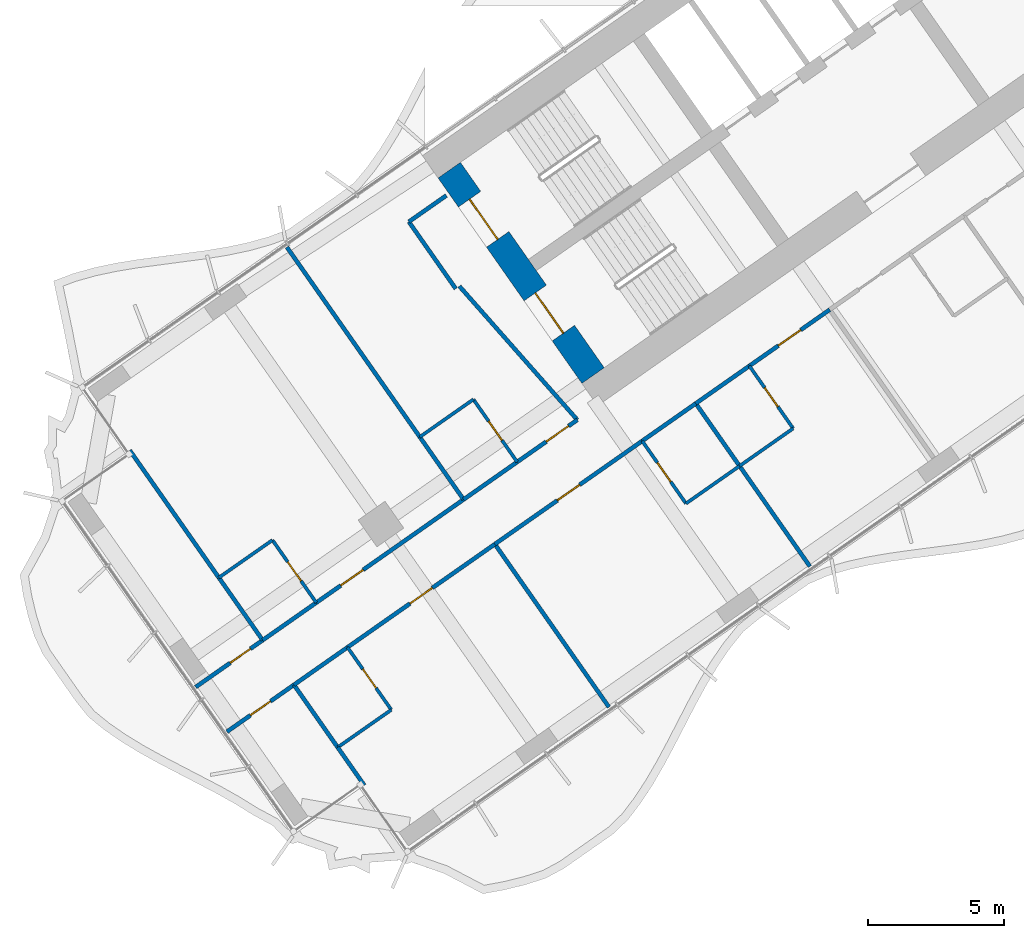
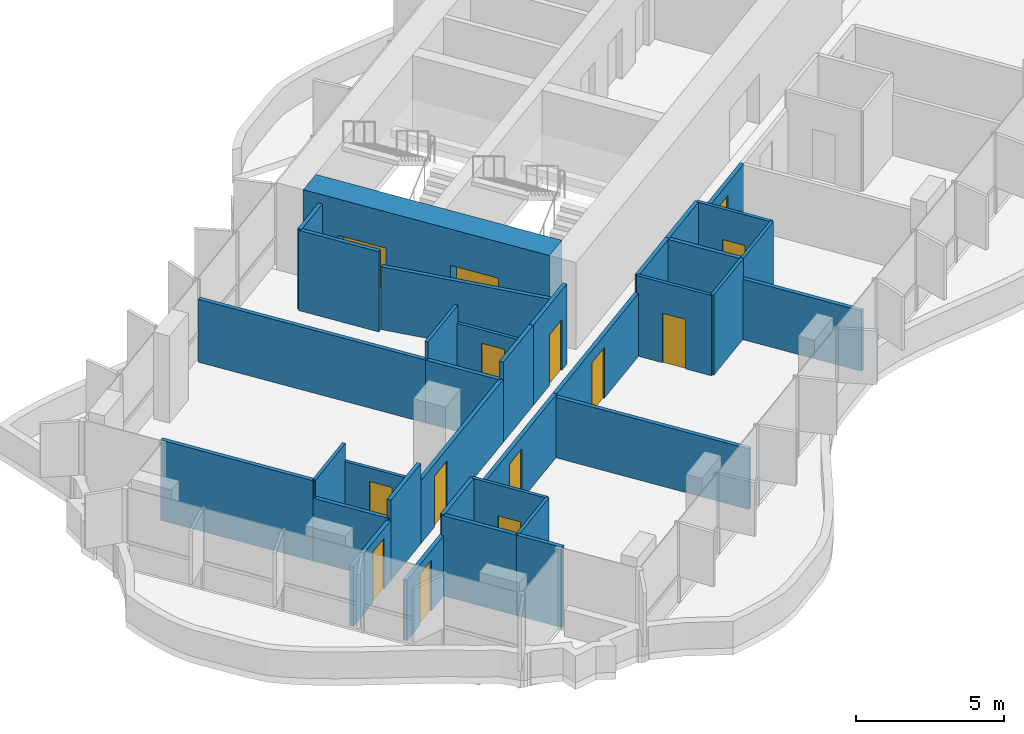
# One storey, part 12 of 22: 35 walls, 14 doors, 14 openings.
"""IFC4 building model written with IfcOpenShell, lengths in metres."""

from ifc_helpers import new_model, si_unit, direction, frame, frame_2d, origin, place, context, subcontext, project, spatial, polyline, rectangle, outline, extrude, material, layer, layer_set, type_object, element, fill, save


model = new_model("IFC4")

# Units and contexts
model_context = context("Model", 3, precision=1e-05, world=origin(), true_north=direction((0.0, 1.0)))
body_context = subcontext(model_context, "Body", "Model", "MODEL_VIEW")
ifc_project = project(units=[si_unit("LENGTHUNIT", "METRE"), si_unit("AREAUNIT", "SQUARE_METRE"), si_unit("VOLUMEUNIT", "CUBIC_METRE"), si_unit("PLANEANGLEUNIT", "RADIAN"), si_unit("MASSUNIT", "GRAM", prefix="KILO")], contexts=[model_context])

# Site, building, storey
site_placement = place(None, origin())
site = spatial("IfcSite", under=ifc_project, at=site_placement, CompositionType="ELEMENT")
building_placement = place(site_placement, origin())
building = spatial("IfcBuilding", under=site, at=building_placement, Name="Tel Ilan Convention Tower", CompositionType="ELEMENT")
storey_placement = place(building_placement, frame((0.0, 0.0, 122.89990234375)))
storey = spatial("IfcBuildingStorey", under=building, at=storey_placement, Name="L27", CompositionType="ELEMENT", Elevation=122.89990234375)

# Wall, openings, doors
ifc_material_1 = material(Name="Concrete C60/75", Category="concrete")
ifc_layer_1 = layer(ifc_material_1, 1.0)
ifc_layer_set_1 = layer_set([ifc_layer_1], Name="Core Shear Wall 1000 mm C60/75")
wall_type_1 = type_object("IfcWallType", Name="Core Shear Wall 1000 mm C60/75", PredefinedType="SHEAR", material=ifc_layer_set_1)
wall_1_placement = place(storey_placement, frame((-21.70751953125, -15.19970703125, 0.0), z_axis=(0.0, 0.0, 1.0), x_axis=(-0.573576324356, 0.819152122709, 0.0)))
wall_1 = element("IfcWall", 1, at=wall_1_placement, inside=storey, type_object=wall_type_1, Name="L27 core wall W-end", PredefinedType="SHEAR", context=body_context, shape_type="SweptSolid", body=[
    extrude(outline(polyline([(0.0, 0.5), (0.0, -0.5), (9.199951171875, -0.5), (9.199951171875, 0.5), (0.0, 0.5)])), origin(), (0.0, 0.0, 1.0), 3.60009765625),
])
opening_1_placement = place(wall_1_placement, frame((6.10009765625, 0.0, 0.0)))
opening_1 = element("IfcOpeningElement", 2, at=opening_1_placement, cuts=wall_1, Name="Opening SD2101", PredefinedType="OPENING", context=body_context, shape_type="SweptSolid", body=[
    extrude(rectangle(XDim=1.800048828125, YDim=2.10009765625, at=frame_2d((0.89990234375, 1.050048828125))), frame((0.0, 0.510009765625, 0.0), z_axis=(0.0, -1.0, 0.0), x_axis=(1.0, 0.0, 0.0)), (0.0, 0.0, 1.0), 1.02001953125),
])
opening_2_placement = place(wall_1_placement, frame((1.89990234375, 0.0, 0.0)))
opening_2 = element("IfcOpeningElement", 3, at=opening_2_placement, cuts=wall_1, Name="Opening SD2102", PredefinedType="OPENING", context=body_context, shape_type="SweptSolid", body=[
    extrude(rectangle(XDim=1.800048828125, YDim=2.10009765625, at=frame_2d((0.89990234375, 1.050048828125))), frame((0.0, 0.510009765625, 0.0), z_axis=(0.0, -1.0, 0.0), x_axis=(1.0, 0.0, 0.0)), (0.0, 0.0, 1.0), 1.02001953125),
])
ifc_material_2 = material(Name="Galvanised Steel Door Leaf", Category="steel")
door_type_1 = type_object("IfcDoorType", Name="Stair Fire Door 1800 x 2100 FD60S", OperationType="NOTDEFINED", PredefinedType="DOOR", material=ifc_material_2)
door_1_placement = place(opening_1_placement, origin())
door_1 = element("IfcDoor", 4, at=door_1_placement, inside=storey, type_object=door_type_1, Name="Stair S1 door", OperationType="DOUBLE_DOOR_SINGLE_SWING", OverallHeight=2.10009765625, OverallWidth=1.800048828125, PredefinedType="DOOR", context=body_context, shape_type="SweptSolid", body=[
    extrude(rectangle(XDim=1.800048828125, YDim=2.10009765625, at=frame_2d((0.89990234375, 1.050048828125))), frame((0.0, 0.02490234375, 0.0), z_axis=(0.0, -1.0, 0.0), x_axis=(1.0, 0.0, 0.0)), (0.0, 0.0, 1.0), 0.050048828125),
])
fill(opening_1, door_1)
door_2_placement = place(opening_2_placement, origin())
door_2 = element("IfcDoor", 5, at=door_2_placement, inside=storey, type_object=door_type_1, Name="Stair S2 door", OperationType="DOUBLE_DOOR_SINGLE_SWING", OverallHeight=2.10009765625, OverallWidth=1.800048828125, PredefinedType="DOOR", context=body_context, shape_type="SweptSolid", body=[
    extrude(rectangle(XDim=1.800048828125, YDim=2.10009765625, at=frame_2d((0.89990234375, 1.050048828125))), frame((0.0, 0.02490234375, 0.0), z_axis=(0.0, -1.0, 0.0), x_axis=(1.0, 0.0, 0.0)), (0.0, 0.0, 1.0), 0.050048828125),
])
fill(opening_2, door_2)

# Wall, opening, door
ifc_material_3 = material(Name="Plasterboard on Steel Studs", Category="steel")
ifc_layer_2 = layer(ifc_material_3, 0.14990234375)
ifc_layer_set_2 = layer_set([ifc_layer_2], Name="Fire-rated Partition 150 EI 60")
wall_type_2 = type_object("IfcWallType", Name="Fire-rated Partition 150 EI 60", PredefinedType="PARTITIONING", material=ifc_layer_set_2)
wall_2_placement = place(storey_placement, frame((-24.493408203125, -18.37109375, 0.0), z_axis=(0.0, 0.0, 1.0), x_axis=(0.819176640776, 0.573541307325, 0.0)))
wall_2 = element("IfcWall", 6, at=wall_2_placement, inside=storey, type_object=wall_type_2, Name="Partition 012", PredefinedType="PARTITIONING", context=body_context, shape_type="SweptSolid", body=[
    extrude(rectangle(XDim=2.697509765625, YDim=0.14990234375, at=frame_2d((1.3486328125, 0.0))), origin(), (0.0, 0.0, 1.0), 3.320068359375),
])
opening_3_placement = place(wall_2_placement, frame((1.301025390625, 0.0, 0.0)))
opening_3 = element("IfcOpeningElement", 7, at=opening_3_placement, cuts=wall_2, Name="Opening L27-012", PredefinedType="OPENING", context=body_context, shape_type="SweptSolid", body=[
    extrude(rectangle(XDim=1.0, YDim=2.10009765625, at=frame_2d((0.5, 1.050048828125))), frame((0.0, 0.0849609375, 0.0), z_axis=(0.0, -1.0, 0.0), x_axis=(1.0, 0.0, 0.0)), (0.0, 0.0, 1.0), 0.169921875),
])
ifc_material_4 = material(Name="Timber Door Leaf in Steel Frame", Category="steel")
door_type_2 = type_object("IfcDoorType", Name="Hotel Room Entrance Fire Door 1000x2100", OperationType="NOTDEFINED", PredefinedType="DOOR", material=ifc_material_4)
door_3_placement = place(opening_3_placement, origin())
door_3 = element("IfcDoor", 8, at=door_3_placement, inside=storey, type_object=door_type_2, Name="Door L27-012", OperationType="SINGLE_SWING_RIGHT", OverallHeight=2.10009765625, OverallWidth=1.0, PredefinedType="DOOR", context=body_context, shape_type="SweptSolid", body=[
    extrude(rectangle(XDim=1.0, YDim=2.10009765625, at=frame_2d((0.5, 1.050048828125))), frame((0.0, 0.02490234375, 0.0), z_axis=(0.0, -1.0, 0.0), x_axis=(1.0, 0.0, 0.0)), (0.0, 0.0, 1.0), 0.050048828125),
])
fill(opening_3, door_3)

# Wall
wall_3_placement = place(storey_placement, frame((-26.460205078125, -19.748291015625, 0.0), z_axis=(0.0, 0.0, 1.0), x_axis=(0.819179439794, 0.573537309527, 0.0)))
element("IfcWall", 9, at=wall_3_placement, inside=storey, type_object=wall_type_2, Name="Partition 013", PredefinedType="PARTITIONING", context=body_context, shape_type="SweptSolid", body=[
    extrude(rectangle(XDim=2.404296875, YDim=0.14990234375, at=frame_2d((1.2021484375, 0.0))), origin(), (0.0, 0.0, 1.0), 3.320068359375),
])

# Wall, opening, door
wall_4_placement = place(storey_placement, frame((-31.86572265625, -23.533447265625, 0.0), z_axis=(0.0, 0.0, 1.0), x_axis=(0.819153746897, 0.573574004767, 0.0)))
wall_4 = element("IfcWall", 10, at=wall_4_placement, inside=storey, type_object=wall_type_2, Name="Partition 014", PredefinedType="PARTITIONING", context=body_context, shape_type="SweptSolid", body=[
    extrude(rectangle(XDim=6.60302734375, YDim=0.14990234375, at=frame_2d((3.301513671875, 0.0))), origin(), (0.0, 0.0, 1.0), 2.60009765625),
])
opening_4_placement = place(wall_4_placement, frame((1.10107421875, 0.0, 0.0)))
opening_4 = element("IfcOpeningElement", 11, at=opening_4_placement, cuts=wall_4, Name="Opening L27-014", PredefinedType="OPENING", context=body_context, shape_type="SweptSolid", body=[
    extrude(rectangle(XDim=1.0, YDim=2.10009765625, at=frame_2d((0.5, 1.050048828125))), frame((0.0, 0.0849609375, 0.0), z_axis=(0.0, -1.0, 0.0), x_axis=(1.0, 0.0, 0.0)), (0.0, 0.0, 1.0), 0.169921875),
])
door_4_placement = place(opening_4_placement, origin())
door_4 = element("IfcDoor", 12, at=door_4_placement, inside=storey, type_object=door_type_2, Name="Door L27-014", OperationType="SINGLE_SWING_RIGHT", OverallHeight=2.10009765625, OverallWidth=1.0, PredefinedType="DOOR", context=body_context, shape_type="SweptSolid", body=[
    extrude(rectangle(XDim=1.0, YDim=2.10009765625, at=frame_2d((0.5, 1.050048828125))), frame((0.0, 0.02490234375, 0.0), z_axis=(0.0, -1.0, 0.0), x_axis=(1.0, 0.0, 0.0)), (0.0, 0.0, 1.0), 0.050048828125),
])
fill(opening_4, door_4)

# Wall
wall_5_placement = place(storey_placement, frame((-33.83251953125, -24.910400390625, 0.0), z_axis=(0.0, 0.0, 1.0), x_axis=(0.819146032251, 0.573585022335, 0.0)))
element("IfcWall", 13, at=wall_5_placement, inside=storey, type_object=wall_type_2, Name="Partition 015", PredefinedType="PARTITIONING", context=body_context, shape_type="SweptSolid", body=[
    extrude(rectangle(XDim=2.404052734375, YDim=0.14990234375, at=frame_2d((1.2021484375, 0.0))), origin(), (0.0, 0.0, 1.0), 3.320068359375),
])

# Wall, opening, door
wall_6_placement = place(storey_placement, frame((-36.288330078125, -26.630126953125, 0.0), z_axis=(0.0, 0.0, 1.0), x_axis=(0.81915932427, 0.57356603932, 0.0)))
wall_6 = element("IfcWall", 14, at=wall_6_placement, inside=storey, type_object=wall_type_2, Name="Partition 016", PredefinedType="PARTITIONING", context=body_context, shape_type="SweptSolid", body=[
    extrude(rectangle(XDim=3.002197265625, YDim=0.14990234375, at=frame_2d((1.5009765625, 0.0))), origin(), (0.0, 0.0, 1.0), 2.5),
])
opening_5_placement = place(wall_6_placement, frame((1.551025390625, 0.0, 0.0)))
opening_5 = element("IfcOpeningElement", 15, at=opening_5_placement, cuts=wall_6, Name="Opening L27-015", PredefinedType="OPENING", context=body_context, shape_type="SweptSolid", body=[
    extrude(rectangle(XDim=0.89990234375, YDim=2.10009765625, at=frame_2d((0.449951171875, 1.050048828125))), frame((0.0, 0.0849609375, 0.0), z_axis=(0.0, -1.0, 0.0), x_axis=(1.0, 0.0, 0.0)), (0.0, 0.0, 1.0), 0.169921875),
])
ifc_material_5 = material(Name="Timber Door Leaf in Steel Frame", Category="steel")
door_type_3 = type_object("IfcDoorType", Name="Room Fire Door 900x2100", OperationType="NOTDEFINED", PredefinedType="DOOR", material=ifc_material_5)
door_5_placement = place(opening_5_placement, origin())
door_5 = element("IfcDoor", 16, at=door_5_placement, inside=storey, type_object=door_type_3, Name="Door L27-015", OperationType="SINGLE_SWING_LEFT", OverallHeight=2.10009765625, OverallWidth=0.89990234375, PredefinedType="DOOR", context=body_context, shape_type="SweptSolid", body=[
    extrude(rectangle(XDim=0.89990234375, YDim=2.10009765625, at=frame_2d((0.449951171875, 1.050048828125))), frame((0.0, 0.02490234375, 0.0), z_axis=(0.0, -1.0, 0.0), x_axis=(1.0, 0.0, 0.0)), (0.0, 0.0, 1.0), 0.050048828125),
])
fill(opening_5, door_5)

wall_7_placement = place(storey_placement, frame((-13.0224609375, -12.78076171875, 0.0), z_axis=(0.0, 0.0, 1.0), x_axis=(-0.819145961204, -0.573585123798, 0.0)))
wall_7 = element("IfcWall", 17, at=wall_7_placement, inside=storey, type_object=wall_type_2, Name="Partition 020", PredefinedType="PARTITIONING", context=body_context, shape_type="SweptSolid", body=[
    extrude(rectangle(XDim=3.60302734375, YDim=0.14990234375, at=frame_2d((1.801513671875, 0.0))), origin(), (0.0, 0.0, 1.0), 2.60009765625),
])
opening_6_placement = place(wall_7_placement, frame((1.302001953125, 0.0, 0.0)))
opening_6 = element("IfcOpeningElement", 18, at=opening_6_placement, cuts=wall_7, Name="Opening L27-005", PredefinedType="OPENING", context=body_context, shape_type="SweptSolid", body=[
    extrude(rectangle(XDim=1.0, YDim=2.10009765625, at=frame_2d((0.5, 1.050048828125))), frame((0.0, 0.0849609375, 0.0), z_axis=(0.0, -1.0, 0.0), x_axis=(1.0, 0.0, 0.0)), (0.0, 0.0, 1.0), 0.169921875),
])
door_6_placement = place(opening_6_placement, origin())
door_6 = element("IfcDoor", 19, at=door_6_placement, inside=storey, type_object=door_type_2, Name="Door L27-005", OperationType="SINGLE_SWING_LEFT", OverallHeight=2.10009765625, OverallWidth=1.0, PredefinedType="DOOR", context=body_context, shape_type="SweptSolid", body=[
    extrude(rectangle(XDim=1.0, YDim=2.10009765625, at=frame_2d((0.5, 1.050048828125))), frame((0.0, 0.02490234375, 0.0), z_axis=(0.0, -1.0, 0.0), x_axis=(1.0, 0.0, 0.0)), (0.0, 0.0, 1.0), 0.050048828125),
])
fill(opening_6, door_6)

# Wall
wall_8_placement = place(storey_placement, frame((-15.97119140625, -14.845703125, 0.0), z_axis=(0.0, 0.0, 1.0), x_axis=(-0.81922714955, -0.573469159974, 0.0)))
element("IfcWall", 20, at=wall_8_placement, inside=storey, type_object=wall_type_2, Name="Partition 021", PredefinedType="PARTITIONING", context=body_context, shape_type="SweptSolid", body=[
    extrude(rectangle(XDim=2.404052734375, YDim=0.14990234375, at=frame_2d((1.2021484375, 0.0))), origin(), (0.0, 0.0, 1.0), 3.320068359375),
])

# Wall, opening, door
wall_9_placement = place(storey_placement, frame((-19.904052734375, -17.599365234375, 0.0), z_axis=(0.0, 0.0, 1.0), x_axis=(-0.819153746897, -0.573574004767, 0.0)))
wall_9 = element("IfcWall", 21, at=wall_9_placement, inside=storey, type_object=wall_type_2, Name="Partition 022", PredefinedType="PARTITIONING", context=body_context, shape_type="SweptSolid", body=[
    extrude(rectangle(XDim=6.60302734375, YDim=0.14990234375, at=frame_2d((3.301513671875, 0.0))), origin(), (0.0, 0.0, 1.0), 2.60009765625),
])
opening_7_placement = place(wall_9_placement, frame((2.801025390625, 0.0, 0.0)))
opening_7 = element("IfcOpeningElement", 22, at=opening_7_placement, cuts=wall_9, Name="Opening L27-007", PredefinedType="OPENING", context=body_context, shape_type="SweptSolid", body=[
    extrude(rectangle(XDim=1.0, YDim=2.10009765625, at=frame_2d((0.5, 1.050048828125))), frame((0.0, 0.0849609375, 0.0), z_axis=(0.0, -1.0, 0.0), x_axis=(1.0, 0.0, 0.0)), (0.0, 0.0, 1.0), 0.169921875),
])
door_7_placement = place(opening_7_placement, origin())
door_7 = element("IfcDoor", 23, at=door_7_placement, inside=storey, type_object=door_type_2, Name="Door L27-007", OperationType="SINGLE_SWING_RIGHT", OverallHeight=2.10009765625, OverallWidth=1.0, PredefinedType="DOOR", context=body_context, shape_type="SweptSolid", body=[
    extrude(rectangle(XDim=1.0, YDim=2.10009765625, at=frame_2d((0.5, 1.050048828125))), frame((0.0, 0.02490234375, 0.0), z_axis=(0.0, -1.0, 0.0), x_axis=(1.0, 0.0, 0.0)), (0.0, 0.0, 1.0), 0.050048828125),
])
fill(opening_7, door_7)

# Wall
wall_10_placement = place(storey_placement, frame((-17.937255859375, -16.22216796875, 0.0), z_axis=(0.0, 0.0, 1.0), x_axis=(-0.819146032251, -0.573585022335, 0.0)))
element("IfcWall", 24, at=wall_10_placement, inside=storey, type_object=wall_type_2, Name="Partition 023", PredefinedType="PARTITIONING", context=body_context, shape_type="SweptSolid", body=[
    extrude(rectangle(XDim=2.404052734375, YDim=0.14990234375, at=frame_2d((1.2021484375, 0.0))), origin(), (0.0, 0.0, 1.0), 3.320068359375),
])

# Wall, opening, door
wall_11_placement = place(storey_placement, frame((-25.3095703125, -21.38427734375, 0.0), z_axis=(0.0, 0.0, 1.0), x_axis=(-0.819153746897, -0.573574004767, 0.0)))
wall_11 = element("IfcWall", 25, at=wall_11_placement, inside=storey, type_object=wall_type_2, Name="Partition 024", PredefinedType="PARTITIONING", context=body_context, shape_type="SweptSolid", body=[
    extrude(rectangle(XDim=6.60302734375, YDim=0.14990234375, at=frame_2d((3.301513671875, 0.0))), origin(), (0.0, 0.0, 1.0), 2.60009765625),
])
opening_8_placement = place(wall_11_placement, frame((2.802001953125, 0.0, 0.0)))
opening_8 = element("IfcOpeningElement", 26, at=opening_8_placement, cuts=wall_11, Name="Opening L27-009", PredefinedType="OPENING", context=body_context, shape_type="SweptSolid", body=[
    extrude(rectangle(XDim=1.0, YDim=2.10009765625, at=frame_2d((0.5, 1.050048828125))), frame((0.0, 0.0849609375, 0.0), z_axis=(0.0, -1.0, 0.0), x_axis=(1.0, 0.0, 0.0)), (0.0, 0.0, 1.0), 0.169921875),
])
door_8_placement = place(opening_8_placement, origin())
door_8 = element("IfcDoor", 27, at=door_8_placement, inside=storey, type_object=door_type_2, Name="Door L27-009", OperationType="SINGLE_SWING_RIGHT", OverallHeight=2.10009765625, OverallWidth=1.0, PredefinedType="DOOR", context=body_context, shape_type="SweptSolid", body=[
    extrude(rectangle(XDim=1.0, YDim=2.10009765625, at=frame_2d((0.5, 1.050048828125))), frame((0.0, 0.02490234375, 0.0), z_axis=(0.0, -1.0, 0.0), x_axis=(1.0, 0.0, 0.0)), (0.0, 0.0, 1.0), 0.050048828125),
])
fill(opening_8, door_8)

# Wall
wall_12_placement = place(storey_placement, frame((-30.716064453125, -25.169921875, 0.0), z_axis=(0.0, 0.0, 1.0), x_axis=(-0.819146032251, -0.573585022335, 0.0)))
element("IfcWall", 28, at=wall_12_placement, inside=storey, type_object=wall_type_2, Name="Partition 025", PredefinedType="PARTITIONING", context=body_context, shape_type="SweptSolid", body=[
    extrude(rectangle(XDim=2.404052734375, YDim=0.14990234375, at=frame_2d((1.2021484375, 0.0))), origin(), (0.0, 0.0, 1.0), 3.320068359375),
])

# Wall, opening, door
wall_13_placement = place(storey_placement, frame((-32.681884765625, -26.54638671875, 0.0), z_axis=(0.0, 0.0, 1.0), x_axis=(-0.81915932427, -0.57356603932, 0.0)))
wall_13 = element("IfcWall", 29, at=wall_13_placement, inside=storey, type_object=wall_type_2, Name="Partition 026", PredefinedType="PARTITIONING", context=body_context, shape_type="SweptSolid", body=[
    extrude(rectangle(XDim=3.002197265625, YDim=0.14990234375, at=frame_2d((1.5009765625, 0.0))), origin(), (0.0, 0.0, 1.0), 2.5),
])
opening_9_placement = place(wall_13_placement, frame((1.051025390625, 0.0, 0.0)))
opening_9 = element("IfcOpeningElement", 30, at=opening_9_placement, cuts=wall_13, Name="Opening L27-010", PredefinedType="OPENING", context=body_context, shape_type="SweptSolid", body=[
    extrude(rectangle(XDim=0.89990234375, YDim=2.10009765625, at=frame_2d((0.449951171875, 1.050048828125))), frame((0.0, 0.0849609375, 0.0), z_axis=(0.0, -1.0, 0.0), x_axis=(1.0, 0.0, 0.0)), (0.0, 0.0, 1.0), 0.169921875),
])
door_9_placement = place(opening_9_placement, origin())
door_9 = element("IfcDoor", 31, at=door_9_placement, inside=storey, type_object=door_type_3, Name="Door L27-010", OperationType="SINGLE_SWING_LEFT", OverallHeight=2.10009765625, OverallWidth=0.89990234375, PredefinedType="DOOR", context=body_context, shape_type="SweptSolid", body=[
    extrude(rectangle(XDim=0.89990234375, YDim=2.10009765625, at=frame_2d((0.449951171875, 1.050048828125))), frame((0.0, 0.02490234375, 0.0), z_axis=(0.0, -1.0, 0.0), x_axis=(1.0, 0.0, 0.0)), (0.0, 0.0, 1.0), 0.050048828125),
])
fill(opening_9, door_9)

# Walls
wall_14_placement = place(storey_placement, frame((-26.74609375, -12.013671875, 0.0), z_axis=(0.0, 0.0, 1.0), x_axis=(-0.573560650686, 0.819163097304, 0.0)))
element("IfcWall", 32, at=wall_14_placement, inside=storey, type_object=wall_type_2, Name="Partition 048", PredefinedType="PARTITIONING", context=body_context, shape_type="SweptSolid", body=[
    extrude(rectangle(XDim=3.0, YDim=0.14990234375, at=frame_2d((1.5, 0.0))), origin(), (0.0, 0.0, 1.0), 3.320068359375),
])
wall_15_placement = place(storey_placement, frame((-28.466796875, -9.55615234375, 0.0), z_axis=(0.0, 0.0, 1.0), x_axis=(0.819109000826, 0.573637903879, 0.0)))
element("IfcWall", 33, at=wall_15_placement, inside=storey, type_object=wall_type_2, Name="Partition 049", PredefinedType="PARTITIONING", context=body_context, shape_type="SweptSolid", body=[
    extrude(rectangle(XDim=1.679931640625, YDim=0.14990234375, at=frame_2d((0.83984375, 0.0))), origin(), (0.0, 0.0, 1.0), 3.320068359375),
])
wall_16_placement = place(storey_placement, frame((-22.2841796875, -16.82666015625, 0.0), z_axis=(0.0, 0.0, 1.0), x_axis=(-0.661545117561, 0.749905365651, 0.0)))
element("IfcWall", 34, at=wall_16_placement, inside=storey, type_object=wall_type_2, Name="Partition 050", PredefinedType="PARTITIONING", context=body_context, shape_type="SweptSolid", body=[
    extrude(rectangle(XDim=6.542724609375, YDim=0.14990234375, at=frame_2d((3.271484375, 0.0))), origin(), (0.0, 0.0, 1.0), 2.60009765625),
])
wall_17_placement = place(storey_placement, frame((-28.06494140625, -17.45263671875, 0.0), z_axis=(0.0, 0.0, 1.0), x_axis=(-0.573593433868, 0.819140142237, 0.0)))
element("IfcWall", 35, at=wall_17_placement, inside=storey, type_object=wall_type_2, Name="Partition 053", PredefinedType="PARTITIONING", context=body_context, shape_type="SweptSolid", body=[
    extrude(rectangle(XDim=8.4990234375, YDim=0.14990234375, at=frame_2d((4.24951171875, 0.0))), origin(), (0.0, 0.0, 1.0), 2.60009765625),
])
wall_18_placement = place(storey_placement, frame((-26.45849609375, -19.747314453125, 0.0), z_axis=(0.0, 0.0, 1.0), x_axis=(-0.573550118428, 0.819170471667, 0.0)))
element("IfcWall", 36, at=wall_18_placement, inside=storey, type_object=wall_type_2, Name="Partition 054", PredefinedType="PARTITIONING", context=body_context, shape_type="SweptSolid", body=[
    extrude(rectangle(XDim=2.800048828125, YDim=0.14990234375, at=frame_2d((1.39990234375, 0.0))), origin(), (0.0, 0.0, 1.0), 2.60009765625),
])
wall_19_placement = place(storey_placement, frame((-35.4375, -22.614990234375, 0.0), z_axis=(0.0, 0.0, 1.0), x_axis=(-0.573568678046, 0.819157476658, 0.0)))
element("IfcWall", 37, at=wall_19_placement, inside=storey, type_object=wall_type_2, Name="Partition 057", PredefinedType="PARTITIONING", context=body_context, shape_type="SweptSolid", body=[
    extrude(rectangle(XDim=5.701171875, YDim=0.14990234375, at=frame_2d((2.8505859375, 0.0))), origin(), (0.0, 0.0, 1.0), 3.320068359375),
])
wall_20_placement = place(storey_placement, frame((-33.830810546875, -24.909423828125, 0.0), z_axis=(0.0, 0.0, 1.0), x_axis=(-0.573550118428, 0.819170471667, 0.0)))
element("IfcWall", 38, at=wall_20_placement, inside=storey, type_object=wall_type_2, Name="Partition 058", PredefinedType="PARTITIONING", context=body_context, shape_type="SweptSolid", body=[
    extrude(rectangle(XDim=2.800048828125, YDim=0.14990234375, at=frame_2d((1.39990234375, 0.0))), origin(), (0.0, 0.0, 1.0), 2.60009765625),
])
wall_21_placement = place(storey_placement, frame((-13.751708984375, -22.203125, 0.0), z_axis=(0.0, 0.0, 1.0), x_axis=(-0.573564311442, 0.819160534108, 0.0)))
element("IfcWall", 39, at=wall_21_placement, inside=storey, type_object=wall_type_2, Name="Partition 066", PredefinedType="PARTITIONING", context=body_context, shape_type="SweptSolid", body=[
    extrude(rectangle(XDim=4.499267578125, YDim=0.14990234375, at=frame_2d((2.24951171875, 0.0))), origin(), (0.0, 0.0, 1.0), 2.5),
])
wall_22_placement = place(storey_placement, frame((-16.3330078125, -18.516845703125, 0.0), z_axis=(0.0, 0.0, 1.0), x_axis=(-0.573591086599, 0.819141785879, 0.0)))
element("IfcWall", 40, at=wall_22_placement, inside=storey, type_object=wall_type_2, Name="Partition 067", PredefinedType="PARTITIONING", context=body_context, shape_type="SweptSolid", body=[
    extrude(rectangle(XDim=2.7998046875, YDim=0.14990234375, at=frame_2d((1.39990234375, 0.0))), origin(), (0.0, 0.0, 1.0), 3.320068359375),
])
wall_23_placement = place(storey_placement, frame((-21.124267578125, -27.365234375, 0.0), z_axis=(0.0, 0.0, 1.0), x_axis=(-0.573572324301, 0.819154923562, 0.0)))
element("IfcWall", 41, at=wall_23_placement, inside=storey, type_object=wall_type_2, Name="Partition 070", PredefinedType="PARTITIONING", context=body_context, shape_type="SweptSolid", body=[
    extrude(rectangle(XDim=7.2998046875, YDim=0.14990234375, at=frame_2d((3.64990234375, 0.0))), origin(), (0.0, 0.0, 1.0), 2.5),
])
wall_24_placement = place(storey_placement, frame((-30.101318359375, -30.235595703125, 0.0), z_axis=(0.0, 0.0, 1.0), x_axis=(-0.573597175316, 0.819137522318, 0.0)))
element("IfcWall", 42, at=wall_24_placement, inside=storey, type_object=wall_type_2, Name="Partition 073", PredefinedType="PARTITIONING", context=body_context, shape_type="SweptSolid", body=[
    extrude(rectangle(XDim=1.701171875, YDim=0.14990234375, at=frame_2d((0.8505859375, 0.0))), origin(), (0.0, 0.0, 1.0), 3.320068359375),
])
wall_25_placement = place(storey_placement, frame((-31.07763671875, -28.84130859375, 0.0), z_axis=(0.0, 0.0, 1.0), x_axis=(-0.573550118428, 0.819170471667, 0.0)))
element("IfcWall", 43, at=wall_25_placement, inside=storey, type_object=wall_type_2, Name="Partition 074", PredefinedType="PARTITIONING", context=body_context, shape_type="SweptSolid", body=[
    extrude(rectangle(XDim=2.800048828125, YDim=0.14990234375, at=frame_2d((1.39990234375, 0.0))), origin(), (0.0, 0.0, 1.0), 3.320068359375),
])
ifc_material_6 = material(Name="Plasterboard on Steel Studs", Category="steel")
ifc_layer_3 = layer(ifc_material_6, 0.1201171875)
ifc_layer_set_3 = layer_set([ifc_layer_3], Name="Moisture-resistant Partition 120")
wall_type_3 = type_object("IfcWallType", Name="Moisture-resistant Partition 120", PredefinedType="PARTITIONING", material=ifc_layer_set_3)
wall_26_placement = place(storey_placement, frame((-26.09912109375, -16.076171875, 0.0), z_axis=(0.0, 0.0, 1.0), x_axis=(-0.819155442668, -0.573571582932, 0.0)))
element("IfcWall", 44, at=wall_26_placement, inside=storey, type_object=wall_type_3, Name="Partition 051", PredefinedType="PARTITIONING", context=body_context, shape_type="SweptSolid", body=[
    extrude(rectangle(XDim=2.39990234375, YDim=0.1201171875, at=frame_2d((1.199951171875, 0.0))), origin(), (0.0, 0.0, 1.0), 3.320068359375),
])

# Wall, opening, door
wall_27_placement = place(storey_placement, frame((-24.49169921875, -18.3701171875, 0.0), z_axis=(0.0, 0.0, 1.0), x_axis=(-0.573550118428, 0.819170471667, 0.0)))
wall_27 = element("IfcWall", 45, at=wall_27_placement, inside=storey, type_object=wall_type_3, Name="Partition 052", PredefinedType="PARTITIONING", context=body_context, shape_type="SweptSolid", body=[
    extrude(rectangle(XDim=2.800048828125, YDim=0.1201171875, at=frame_2d((1.39990234375, 0.0))), origin(), (0.0, 0.0, 1.0), 2.60009765625),
])
opening_10_placement = place(wall_27_placement, frame((0.97509765625, 0.0, 0.0)))
opening_10 = element("IfcOpeningElement", 46, at=opening_10_placement, cuts=wall_27, Name="Opening L27-011", PredefinedType="OPENING", context=body_context, shape_type="SweptSolid", body=[
    extrude(rectangle(XDim=0.85009765625, YDim=2.050048828125, at=frame_2d((0.425048828125, 1.02490234375))), frame((0.0, 0.070068359375, 0.0), z_axis=(0.0, -1.0, 0.0), x_axis=(1.0, 0.0, 0.0)), (0.0, 0.0, 1.0), 0.14013671875),
])
ifc_material_7 = material(Name="Timber Door Leaf in Steel Frame", Category="steel")
door_type_4 = type_object("IfcDoorType", Name="Bathroom Timber Door 850x2050", OperationType="NOTDEFINED", PredefinedType="DOOR", material=ifc_material_7)
door_10_placement = place(opening_10_placement, origin())
door_10 = element("IfcDoor", 47, at=door_10_placement, inside=storey, type_object=door_type_4, Name="Door L27-011", OperationType="SINGLE_SWING_LEFT", OverallHeight=2.050048828125, OverallWidth=0.85009765625, PredefinedType="DOOR", context=body_context, shape_type="SweptSolid", body=[
    extrude(rectangle(XDim=0.85009765625, YDim=2.050048828125, at=frame_2d((0.425048828125, 1.02490234375))), frame((0.0, 0.02490234375, 0.0), z_axis=(0.0, -1.0, 0.0), x_axis=(1.0, 0.0, 0.0)), (0.0, 0.0, 1.0), 0.050048828125),
])
fill(opening_10, door_10)

wall_28_placement = place(storey_placement, frame((-31.864013671875, -23.5322265625, 0.0), z_axis=(0.0, 0.0, 1.0), x_axis=(-0.573550118428, 0.819170471667, 0.0)))
wall_28 = element("IfcWall", 48, at=wall_28_placement, inside=storey, type_object=wall_type_3, Name="Partition 055", PredefinedType="PARTITIONING", context=body_context, shape_type="SweptSolid", body=[
    extrude(rectangle(XDim=2.800048828125, YDim=0.1201171875, at=frame_2d((1.39990234375, 0.0))), origin(), (0.0, 0.0, 1.0), 2.60009765625),
])
opening_11_placement = place(wall_28_placement, frame((0.97509765625, 0.0, 0.0)))
opening_11 = element("IfcOpeningElement", 49, at=opening_11_placement, cuts=wall_28, Name="Opening L27-013", PredefinedType="OPENING", context=body_context, shape_type="SweptSolid", body=[
    extrude(rectangle(XDim=0.85009765625, YDim=2.050048828125, at=frame_2d((0.425048828125, 1.02490234375))), frame((0.0, 0.070068359375, 0.0), z_axis=(0.0, -1.0, 0.0), x_axis=(1.0, 0.0, 0.0)), (0.0, 0.0, 1.0), 0.14013671875),
])
door_11_placement = place(opening_11_placement, origin())
door_11 = element("IfcDoor", 50, at=door_11_placement, inside=storey, type_object=door_type_4, Name="Door L27-013", OperationType="SINGLE_SWING_LEFT", OverallHeight=2.050048828125, OverallWidth=0.85009765625, PredefinedType="DOOR", context=body_context, shape_type="SweptSolid", body=[
    extrude(rectangle(XDim=0.85009765625, YDim=2.050048828125, at=frame_2d((0.425048828125, 1.02490234375))), frame((0.0, 0.02490234375, 0.0), z_axis=(0.0, -1.0, 0.0), x_axis=(1.0, 0.0, 0.0)), (0.0, 0.0, 1.0), 0.050048828125),
])
fill(opening_11, door_11)

# Walls
wall_29_placement = place(storey_placement, frame((-33.471435546875, -21.23828125, 0.0), z_axis=(0.0, 0.0, 1.0), x_axis=(-0.819141114317, -0.573592045652, 0.0)))
element("IfcWall", 51, at=wall_29_placement, inside=storey, type_object=wall_type_3, Name="Partition 056", PredefinedType="PARTITIONING", context=body_context, shape_type="SweptSolid", body=[
    extrude(rectangle(XDim=2.400146484375, YDim=0.1201171875, at=frame_2d((1.2001953125, 0.0))), origin(), (0.0, 0.0, 1.0), 3.320068359375),
])
wall_30_placement = place(storey_placement, frame((-16.332275390625, -18.517578125, 0.0), z_axis=(0.0, 0.0, 1.0), x_axis=(0.819155442668, 0.573571582932, 0.0)))
element("IfcWall", 52, at=wall_30_placement, inside=storey, type_object=wall_type_3, Name="Partition 064", PredefinedType="PARTITIONING", context=body_context, shape_type="SweptSolid", body=[
    extrude(rectangle(XDim=2.39990234375, YDim=0.1201171875, at=frame_2d((1.199951171875, 0.0))), origin(), (0.0, 0.0, 1.0), 3.320068359375),
])

# Wall, opening, door
wall_31_placement = place(storey_placement, frame((-14.3662109375, -17.139892578125, 0.0), z_axis=(0.0, 0.0, 1.0), x_axis=(-0.573550118428, 0.819170471667, 0.0)))
wall_31 = element("IfcWall", 53, at=wall_31_placement, inside=storey, type_object=wall_type_3, Name="Partition 065", PredefinedType="PARTITIONING", context=body_context, shape_type="SweptSolid", body=[
    extrude(rectangle(XDim=2.800048828125, YDim=0.1201171875, at=frame_2d((1.39990234375, 0.0))), origin(), (0.0, 0.0, 1.0), 3.320068359375),
])
opening_12_placement = place(wall_31_placement, frame((0.97509765625, 0.0, 0.0)))
opening_12 = element("IfcOpeningElement", 54, at=opening_12_placement, cuts=wall_31, Name="Opening L27-004", PredefinedType="OPENING", context=body_context, shape_type="SweptSolid", body=[
    extrude(rectangle(XDim=0.85009765625, YDim=2.050048828125, at=frame_2d((0.425048828125, 1.02490234375))), frame((0.0, 0.070068359375, 0.0), z_axis=(0.0, -1.0, 0.0), x_axis=(1.0, 0.0, 0.0)), (0.0, 0.0, 1.0), 0.14013671875),
])
door_12_placement = place(opening_12_placement, origin())
door_12 = element("IfcDoor", 55, at=door_12_placement, inside=storey, type_object=door_type_4, Name="Door L27-004", OperationType="SINGLE_SWING_RIGHT", OverallHeight=2.050048828125, OverallWidth=0.85009765625, PredefinedType="DOOR", context=body_context, shape_type="SweptSolid", body=[
    extrude(rectangle(XDim=0.85009765625, YDim=2.050048828125, at=frame_2d((0.425048828125, 1.02490234375))), frame((0.0, 0.02490234375, 0.0), z_axis=(0.0, -1.0, 0.0), x_axis=(1.0, 0.0, 0.0)), (0.0, 0.0, 1.0), 0.050048828125),
])
fill(opening_12, door_12)

wall_32_placement = place(storey_placement, frame((-19.90576171875, -17.600341796875, 0.0), z_axis=(0.0, 0.0, 1.0), x_axis=(0.573550118428, -0.819170471667, 0.0)))
wall_32 = element("IfcWall", 56, at=wall_32_placement, inside=storey, type_object=wall_type_3, Name="Partition 068", PredefinedType="PARTITIONING", context=body_context, shape_type="SweptSolid", body=[
    extrude(rectangle(XDim=2.800048828125, YDim=0.1201171875, at=frame_2d((1.39990234375, 0.0))), origin(), (0.0, 0.0, 1.0), 3.320068359375),
])
opening_13_placement = place(wall_32_placement, frame((0.97509765625, 0.0, 0.0)))
opening_13 = element("IfcOpeningElement", 57, at=opening_13_placement, cuts=wall_32, Name="Opening L27-006", PredefinedType="OPENING", context=body_context, shape_type="SweptSolid", body=[
    extrude(rectangle(XDim=0.85009765625, YDim=2.050048828125, at=frame_2d((0.425048828125, 1.02490234375))), frame((0.0, 0.070068359375, 0.0), z_axis=(0.0, -1.0, 0.0), x_axis=(1.0, 0.0, 0.0)), (0.0, 0.0, 1.0), 0.14013671875),
])
door_13_placement = place(opening_13_placement, origin())
door_13 = element("IfcDoor", 58, at=door_13_placement, inside=storey, type_object=door_type_4, Name="Door L27-006", OperationType="SINGLE_SWING_RIGHT", OverallHeight=2.050048828125, OverallWidth=0.85009765625, PredefinedType="DOOR", context=body_context, shape_type="SweptSolid", body=[
    extrude(rectangle(XDim=0.85009765625, YDim=2.050048828125, at=frame_2d((0.425048828125, 1.02490234375))), frame((0.0, 0.02490234375, 0.0), z_axis=(0.0, -1.0, 0.0), x_axis=(1.0, 0.0, 0.0)), (0.0, 0.0, 1.0), 0.050048828125),
])
fill(opening_13, door_13)

# Walls
wall_33_placement = place(storey_placement, frame((-18.29833984375, -19.894287109375, 0.0), z_axis=(0.0, 0.0, 1.0), x_axis=(0.819141114317, 0.573592045652, 0.0)))
element("IfcWall", 59, at=wall_33_placement, inside=storey, type_object=wall_type_3, Name="Partition 069", PredefinedType="PARTITIONING", context=body_context, shape_type="SweptSolid", body=[
    extrude(rectangle(XDim=2.400146484375, YDim=0.1201171875, at=frame_2d((1.2001953125, 0.0))), origin(), (0.0, 0.0, 1.0), 3.320068359375),
])
wall_34_placement = place(storey_placement, frame((-31.0771484375, -28.842041015625, 0.0), z_axis=(0.0, 0.0, 1.0), x_axis=(0.819188907105, 0.573523787192, 0.0)))
element("IfcWall", 60, at=wall_34_placement, inside=storey, type_object=wall_type_3, Name="Partition 071", PredefinedType="PARTITIONING", context=body_context, shape_type="SweptSolid", body=[
    extrude(rectangle(XDim=2.39990234375, YDim=0.1201171875, at=frame_2d((1.199951171875, 0.0))), origin(), (0.0, 0.0, 1.0), 3.320068359375),
])

# Wall, opening, door
wall_35_placement = place(storey_placement, frame((-29.11083984375, -27.464111328125, 0.0), z_axis=(0.0, 0.0, 1.0), x_axis=(-0.573550118428, 0.819170471667, 0.0)))
wall_35 = element("IfcWall", 61, at=wall_35_placement, inside=storey, type_object=wall_type_3, Name="Partition 072", PredefinedType="PARTITIONING", context=body_context, shape_type="SweptSolid", body=[
    extrude(rectangle(XDim=2.800048828125, YDim=0.1201171875, at=frame_2d((1.39990234375, 0.0))), origin(), (0.0, 0.0, 1.0), 3.320068359375),
])
opening_14_placement = place(wall_35_placement, frame((0.97509765625, 0.0, 0.0)))
opening_14 = element("IfcOpeningElement", 62, at=opening_14_placement, cuts=wall_35, Name="Opening L27-008", PredefinedType="OPENING", context=body_context, shape_type="SweptSolid", body=[
    extrude(rectangle(XDim=0.85009765625, YDim=2.050048828125, at=frame_2d((0.425048828125, 1.02490234375))), frame((0.0, 0.070068359375, 0.0), z_axis=(0.0, -1.0, 0.0), x_axis=(1.0, 0.0, 0.0)), (0.0, 0.0, 1.0), 0.14013671875),
])
door_14_placement = place(opening_14_placement, origin())
door_14 = element("IfcDoor", 63, at=door_14_placement, inside=storey, type_object=door_type_4, Name="Door L27-008", OperationType="SINGLE_SWING_RIGHT", OverallHeight=2.050048828125, OverallWidth=0.85009765625, PredefinedType="DOOR", context=body_context, shape_type="SweptSolid", body=[
    extrude(rectangle(XDim=0.85009765625, YDim=2.050048828125, at=frame_2d((0.425048828125, 1.02490234375))), frame((0.0, 0.02490234375, 0.0), z_axis=(0.0, -1.0, 0.0), x_axis=(1.0, 0.0, 0.0)), (0.0, 0.0, 1.0), 0.050048828125),
])
fill(opening_14, door_14)

save(model, "model.ifc")
